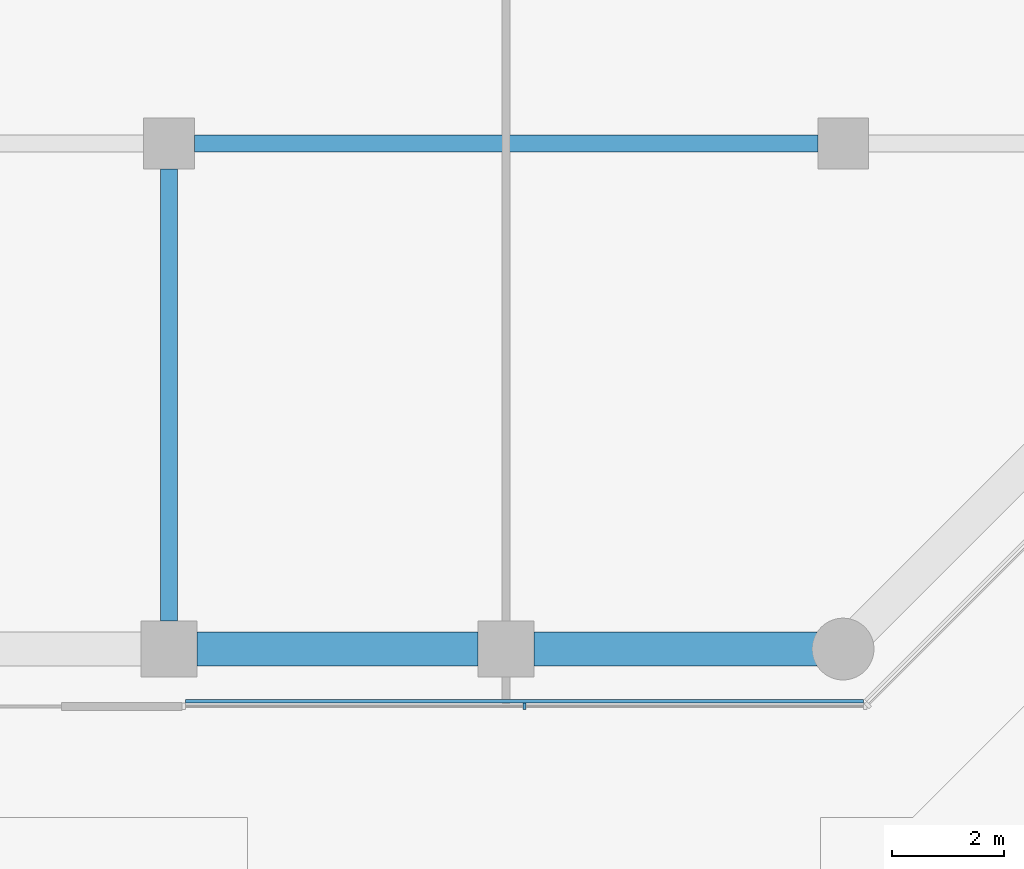
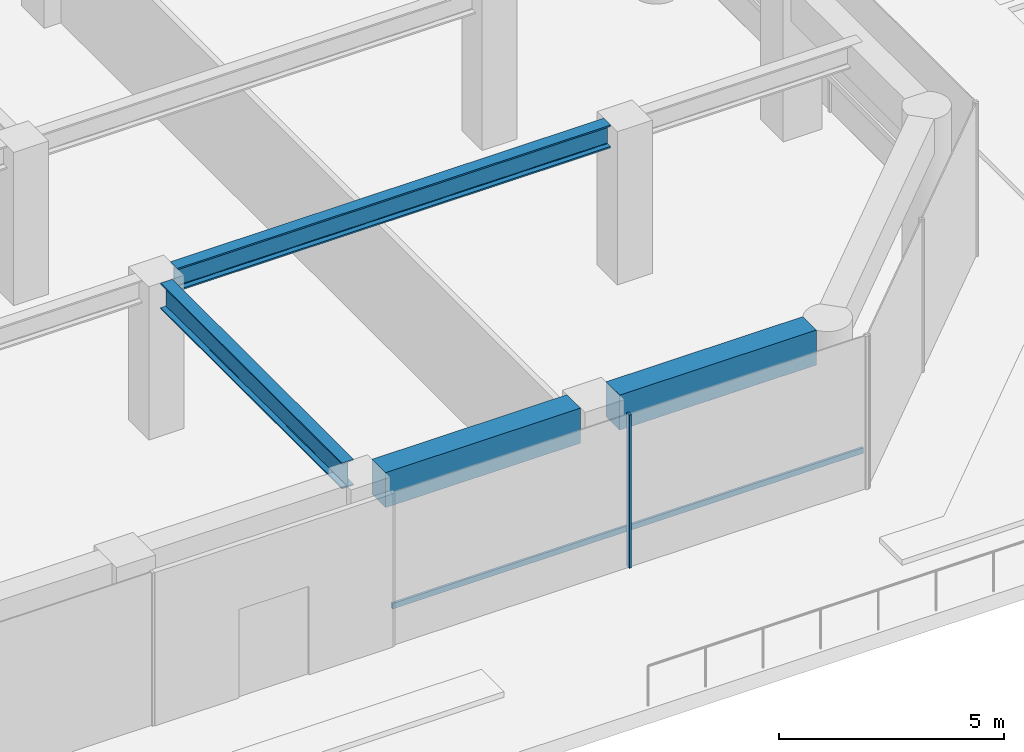
# One storey, part 6 of 31: 4 beams, 2 members, 1 element without a shape of its own.
"""IFC4 building model written with IfcOpenShell, lengths in metres."""

import ifcopenshell
import ifcopenshell.guid

model = None  # the IFC model being written
_history = None  # IfcOwnerHistory: only IFC2X3 demands one
_inside = {}  # id of a spatial element -> (the spatial element, [elements in it])
_under = {}  # id of a project, library or spatial element -> (it, [spatial elements below it])
_declared = {}  # id of a project -> (the project, [libraries it declares])
_typed = {}  # id of a type object -> (the type object, [elements of that type])
_made_of = {}  # id of a material, layer set ... -> (it, [elements and type objects made of it])


def new_model(schema):
    """Start an empty IFC model of exactly this schema.

    Asked for "IFC4X3", IfcOpenShell would pick the latest addendum, in which some entities
    have other attributes; the version numbers below select the first issue.
    IFC2X3 requires an IfcOwnerHistory on every rooted entity: one is made here for all.
    """
    global model, _history
    if schema == "IFC4X3":
        model = ifcopenshell.file(schema_version=(4, 3, 0, 0))
    else:
        model = ifcopenshell.file(schema=schema)
    _inside.clear()
    _under.clear()
    _declared.clear()
    _typed.clear()
    _made_of.clear()
    _history = None
    if model.schema == "IFC2X3":
        org = make("IfcOrganization", Name="unknown")
        user = make(
            "IfcPersonAndOrganization",
            ThePerson=make("IfcPerson", FamilyName="unknown"),
            TheOrganization=org,
        )
        app = make(
            "IfcApplication",
            ApplicationDeveloper=org,
            Version="unknown",
            ApplicationFullName="unknown",
            ApplicationIdentifier="unknown",
        )
        _history = make(
            "IfcOwnerHistory",
            OwningUser=user,
            OwningApplication=app,
            ChangeAction="ADDED",
            CreationDate=0,
        )
    return model


def make(cls, **values):
    """One entity of the class cls with the attributes given. An attribute that is None is left unset."""
    return model.create_entity(
        cls, **{name: value for name, value in values.items() if value is not None}
    )


def rooted(cls, **values):
    """An entity with a GlobalId (a new one), such as an element, a storey or a relation."""
    return make(cls, GlobalId=ifcopenshell.guid.new(), OwnerHistory=_history, **values)


def si_unit(unit_type, name, prefix=None):
    """IfcSIUnit, for example si_unit("LENGTHUNIT", "METRE", prefix="MILLI")."""
    return make("IfcSIUnit", UnitType=unit_type, Prefix=prefix, Name=name)


def assignment(units):
    """IfcUnitAssignment: the units of a project."""
    return None if units is None else make("IfcUnitAssignment", Units=units)


def point(xyz):
    """IfcCartesianPoint."""
    return None if xyz is None else make("IfcCartesianPoint", Coordinates=xyz)


def direction(xyz):
    """IfcDirection."""
    return None if xyz is None else make("IfcDirection", DirectionRatios=xyz)


def frame(location, z_axis=None, x_axis=None):
    """IfcAxis2Placement3D, a coordinate frame: its origin and axes. An axis left out is left unset."""
    return make(
        "IfcAxis2Placement3D",
        Location=point(location),
        Axis=direction(z_axis),
        RefDirection=direction(x_axis),
    )


def frame_2d(location, x_axis=None):
    """IfcAxis2Placement2D, a coordinate frame in the plane: its origin and x axis."""
    return make(
        "IfcAxis2Placement2D", Location=point(location), RefDirection=direction(x_axis)
    )


def origin():
    """The frame at (0, 0, 0) with its axes left unset."""
    return frame((0.0, 0.0, 0.0))


def origin_2d():
    """The frame at (0, 0) in the plane with its x axis left unset."""
    return frame_2d((0.0, 0.0))


def place(relative_to, where):
    """IfcLocalPlacement: puts the frame where relative to a parent placement (None: the world)."""
    return make(
        "IfcLocalPlacement", PlacementRelTo=relative_to, RelativePlacement=where
    )


def context(
    kind, dimensions, precision=None, world=None, true_north=None, identifier=None
):
    """IfcGeometricRepresentationContext, for example the 3D "Model" context."""
    return make(
        "IfcGeometricRepresentationContext",
        ContextIdentifier=identifier,
        ContextType=kind,
        CoordinateSpaceDimension=dimensions,
        Precision=precision,
        WorldCoordinateSystem=world,
        TrueNorth=true_north,
    )


def subcontext(parent, identifier, kind, view, scale=None):
    """IfcGeometricRepresentationSubContext, for example "Body" below "Model"."""
    return make(
        "IfcGeometricRepresentationSubContext",
        ContextIdentifier=identifier,
        ContextType=kind,
        ParentContext=parent,
        TargetScale=scale,
        TargetView=view,
    )


def project(units=None, contexts=None):
    """IfcProject with its units and contexts."""
    return rooted(
        "IfcProject",
        Name="project",
        RepresentationContexts=contexts,
        UnitsInContext=assignment(units),
    )


def spatial(cls, under=None, at=None, **own):
    """A site, building, storey or space (cls), placed at a placement, below another one or the project."""
    s = rooted(cls, ObjectPlacement=at, **own)
    if under is not None:
        _under.setdefault(under.id(), (under, []))[1].append(s)
    return s


def profile(cls, at=None, kind="AREA", **sizes):
    """A parametric profile (cls). Its sizes go by their IFC names, for example OverallWidth=200.0."""
    return make(cls, ProfileType=kind, Position=at, **sizes)


def rectangle(**sizes):
    """IfcRectangleProfileDef."""
    return profile("IfcRectangleProfileDef", **sizes)


def i_section(**sizes):
    """IfcIShapeProfileDef."""
    return profile("IfcIShapeProfileDef", **sizes)


def extrude(swept, where, along, depth):
    """IfcExtrudedAreaSolid: the profile swept, set in the frame where, extruded along a direction by depth."""
    return make(
        "IfcExtrudedAreaSolid",
        SweptArea=swept,
        Position=where,
        ExtrudedDirection=direction(along),
        Depth=depth,
    )


def shape(context_of_items, identifier, shape_type, items):
    """IfcShapeRepresentation: the items that make up one representation, for example the "Body"."""
    return make(
        "IfcShapeRepresentation",
        ContextOfItems=context_of_items,
        RepresentationIdentifier=identifier,
        RepresentationType=shape_type,
        Items=items,
    )


def material(Name=None, Category=None):
    """IfcMaterial."""
    return make("IfcMaterial", Name=Name, Category=Category)


def layer(
    of_material, thickness, ventilated=None, Name=None, Category=None, Priority=None
):
    """IfcMaterialLayer: one layer of a wall or slab, of a material (None: an air gap)."""
    return make(
        "IfcMaterialLayer",
        Material=of_material,
        LayerThickness=thickness,
        IsVentilated=ventilated,
        Name=Name,
        Category=Category,
        Priority=Priority,
    )


def layer_set(layers, Name=None):
    """IfcMaterialLayerSet."""
    return make("IfcMaterialLayerSet", MaterialLayers=layers, LayerSetName=Name)


def material_profile(
    of_material, cross_section, Name=None, Category=None, Priority=None
):
    """IfcMaterialProfile: a cross section and its material."""
    return make(
        "IfcMaterialProfile",
        Name=Name,
        Material=of_material,
        Profile=cross_section,
        Priority=Priority,
        Category=Category,
    )


def profile_set(profiles, Name=None, composite=None):
    """IfcMaterialProfileSet."""
    return make(
        "IfcMaterialProfileSet",
        Name=Name,
        MaterialProfiles=profiles,
        CompositeProfile=composite,
    )


def made_of(thing, what):
    """Note that an element or type object is made of a material, layer set ...; save() writes the relation."""
    if what is not None:
        _made_of.setdefault(what.id(), (what, []))[1].append(thing)
    return thing


def type_object(cls, material=None, **own):
    """A type object (cls), such as IfcWallType, which elements share."""
    return made_of(rooted(cls, **own), material)


def element(
    cls,
    number,
    at=None,
    inside=None,
    cuts=None,
    type_object=None,
    material=None,
    context=None,
    identifier="Body",
    shape_type=None,
    held_by="IfcProductDefinitionShape",
    body=None,
    shapes=None,
    **own,
):
    """One element of the class cls, such as IfcWall. Its Tag is "e" and its number.

    at: its placement. inside: the storey or other place that contains it. cuts: it is an
    opening in that element (IfcRelVoidsElement). A single representation is given by context,
    identifier, shape_type and body (its items); several are given by shapes. held_by: the class
    of the entity that holds the representations. save() writes the other relations.
    """
    e = rooted(cls, Tag="e%d" % number, ObjectPlacement=at, **own)
    if body is not None:
        shapes = [shape(context, identifier, shape_type, body)]
    if shapes is not None:
        e.Representation = make(held_by, Representations=shapes)
    if inside is not None:
        _inside.setdefault(inside.id(), (inside, []))[1].append(e)
    if cuts is not None:
        rooted(
            "IfcRelVoidsElement", RelatingBuildingElement=cuts, RelatedOpeningElement=e
        )
    if type_object is not None:
        _typed.setdefault(type_object.id(), (type_object, []))[1].append(e)
    return made_of(e, material)


def aggregate(whole, parts):
    """IfcRelAggregates: a whole, such as a stair, and the parts it consists of."""
    return rooted("IfcRelAggregates", RelatingObject=whole, RelatedObjects=parts)


def save(model, path):
    """Write the relations noted so far, then the file.

    IfcRelAggregates (storeys below a building ...), IfcRelContainedInSpatialStructure (elements
    in a storey), IfcRelDefinesByType, IfcRelAssociatesMaterial and IfcRelDeclares: one each for
    every whole, place, type object, material and project.
    """
    for whole, parts in _under.values():
        aggregate(whole, parts)
    for where, things in _inside.values():
        rooted(
            "IfcRelContainedInSpatialStructure",
            RelatedElements=things,
            RelatingStructure=where,
        )
    for kind, things in _typed.values():
        rooted("IfcRelDefinesByType", RelatedObjects=things, RelatingType=kind)
    for what, things in _made_of.values():
        rooted("IfcRelAssociatesMaterial", RelatedObjects=things, RelatingMaterial=what)
    for by, libraries in _declared.values():
        rooted("IfcRelDeclares", RelatingContext=by, RelatedDefinitions=libraries)
    model.write(path)


model = new_model("IFC4")

# Units and contexts
model_context = context("Model", 3, precision=1e-05, world=origin(), true_north=direction((0.0, 1.0)))
body_context = subcontext(model_context, "Body", "Model", "MODEL_VIEW")
ifc_project = project(units=[si_unit("LENGTHUNIT", "METRE"), si_unit("AREAUNIT", "SQUARE_METRE"), si_unit("VOLUMEUNIT", "CUBIC_METRE"), si_unit("PLANEANGLEUNIT", "RADIAN"), si_unit("MASSUNIT", "GRAM", prefix="KILO")], contexts=[model_context])

# Site, building, storey
site_placement = place(None, origin())
site = spatial("IfcSite", under=ifc_project, at=site_placement, CompositionType="ELEMENT")
building_placement = place(site_placement, origin())
building = spatial("IfcBuilding", under=site, at=building_placement, Name="Welwitschia Terrace Campus", CompositionType="ELEMENT")
storey_placement = place(building_placement, frame((0.0, 0.0, 11.0)))
storey = spatial("IfcBuildingStorey", under=building, at=storey_placement, Name="L02", CompositionType="ELEMENT", Elevation=11.0)

# Beam
ifc_material_1 = material(Name="Steel S355", Category="steel")
ifc_material_profile_1 = material_profile(ifc_material_1, i_section(OverallWidth=0.304931640625, OverallDepth=0.6201171875, WebThickness=0.02099609375, FlangeThickness=0.0400390625, FilletRadius=0.027099609375, at=origin_2d()))
ifc_profile_set_1 = profile_set([ifc_material_profile_1], Name="Steel S355")
beam_type_1 = type_object("IfcBeamType", Name="Interior girder HE 600 M", PredefinedType="BEAM", material=ifc_profile_set_1)
beam_1_placement = place(storey_placement, frame((48.450439453125, 5.0, 3.840087890625), z_axis=(1.0, 0.0, 0.0), x_axis=(0.0, 1.0, 0.0)))
element("IfcBeam", 1, at=beam_1_placement, inside=storey, type_object=beam_type_1, Name="Girder GB1", PredefinedType="BEAM", context=body_context, shape_type="SweptSolid", body=[
    extrude(i_section(OverallWidth=0.304931640625, OverallDepth=0.6201171875, WebThickness=0.02099609375, FlangeThickness=0.0400390625, FilletRadius=0.027099609375, at=origin_2d()), origin(), (0.0, 0.0, 1.0), 11.09912109375),
])

# Curtain wall, member
ifc_material_2 = material(Name="Bronze anodised aluminium", Category="aluminium")
ifc_layer = layer(ifc_material_2, 0.1201171875)
ifc_layer_set = layer_set([ifc_layer], Name="Bronze anodised aluminium")
curtain_wall_type = type_object("IfcCurtainWallType", Name="Curtain wall CW2 tower 6000", PredefinedType="NOTDEFINED", material=ifc_layer_set)
curtain_wall_placement = place(storey_placement, origin())
curtain_wall = element("IfcCurtainWall", 2, at=curtain_wall_placement, inside=storey, type_object=curtain_wall_type, Name="CW L02.1.7", PredefinedType="NOTDEFINED")
ifc_material_3 = material(Name="Bronze anodised aluminium", Category="aluminium")
ifc_material_profile_2 = material_profile(ifc_material_3, rectangle(XDim=0.1201171875, YDim=0.06005859375, at=origin_2d()))
ifc_profile_set_2 = profile_set([ifc_material_profile_2], Name="Bronze anodised aluminium")
member_type_1 = type_object("IfcMemberType", Name="Mullion 60x120", PredefinedType="MULLION", material=ifc_profile_set_2)
member_1_placement = place(storey_placement, frame((54.32861328125, -5.02001953125, 0.0), z_axis=(0.0, 0.0, 1.0), x_axis=(0.0, 1.0, 0.0)))
member_1 = element("IfcMember", 3, at=member_1_placement, type_object=member_type_1, Name="Mullion L02.1.7.1", PredefinedType="MULLION", context=body_context, shape_type="SweptSolid", body=[
    extrude(rectangle(XDim=0.1201171875, YDim=0.06005859375, at=origin_2d()), origin(), (0.0, 0.0, 1.0), 4.14990234375),
])

# Beams
ifc_material_4 = material(Name="Steel S355", Category="steel")
ifc_material_profile_3 = material_profile(ifc_material_4, i_section(OverallWidth=0.300048828125, OverallDepth=0.699951171875, WebThickness=0.01708984375, FlangeThickness=0.031982421875, FilletRadius=0.027099609375, at=origin_2d()))
ifc_profile_set_3 = profile_set([ifc_material_profile_3], Name="Steel S355")
beam_type_2 = type_object("IfcBeamType", Name="Primary beam HE 700 B", PredefinedType="BEAM", material=ifc_profile_set_3)
beam_2_placement = place(storey_placement, frame((48.0, -3.49951171875, 3.800048828125), z_axis=(0.0, 1.0, 0.0), x_axis=(-1.0, 0.0, 0.0)))
element("IfcBeam", 4, at=beam_2_placement, inside=storey, type_object=beam_type_2, Name="Primary beam PB1", PredefinedType="BEAM", context=body_context, shape_type="SweptSolid", body=[
    extrude(i_section(OverallWidth=0.300048828125, OverallDepth=0.699951171875, WebThickness=0.01708984375, FlangeThickness=0.031982421875, FilletRadius=0.027099609375, at=origin_2d()), origin(), (0.0, 0.0, 1.0), 8.049072265625),
])
ifc_material_5 = material(Name="Concrete C60/75", Category="concrete")
ifc_material_profile_4 = material_profile(ifc_material_5, rectangle(XDim=0.60009765625, YDim=0.949951171875, at=origin_2d()))
ifc_profile_set_4 = profile_set([ifc_material_profile_4], Name="Concrete C60/75")
beam_type_3 = type_object("IfcBeamType", Name="Ring spandrel 600x950", PredefinedType="SPANDREL", material=ifc_profile_set_4)
beam_3_placement = place(storey_placement, frame((48.50048828125, -4.0, 3.675048828125), z_axis=(1.0, 0.0, 0.0), x_axis=(0.0, 1.0, 0.0)))
element("IfcBeam", 5, at=beam_3_placement, inside=storey, type_object=beam_type_3, Name="Spandrel SP1", PredefinedType="SPANDREL", context=body_context, shape_type="SweptSolid", body=[
    extrude(rectangle(XDim=0.60009765625, YDim=0.949951171875, at=origin_2d()), origin(), (0.0, 0.0, 1.0), 4.9990234375),
])
beam_4_placement = place(storey_placement, frame((54.50048828125, -4.0, 3.675048828125), z_axis=(1.0, 0.0, 0.0), x_axis=(0.0, 1.0, 0.0)))
element("IfcBeam", 6, at=beam_4_placement, inside=storey, type_object=beam_type_3, Name="Spandrel SP1", PredefinedType="SPANDREL", context=body_context, shape_type="SweptSolid", body=[
    extrude(rectangle(XDim=0.60009765625, YDim=0.949951171875, at=origin_2d()), origin(), (0.0, 0.0, 1.0), 5.0380859375),
])

# Member
ifc_material_6 = material(Name="Bronze anodised aluminium", Category="aluminium")
ifc_material_profile_5 = material_profile(ifc_material_6, rectangle(XDim=0.06005859375, YDim=0.14990234375, at=origin_2d()))
ifc_profile_set_5 = profile_set([ifc_material_profile_5], Name="Bronze anodised aluminium")
member_type_2 = type_object("IfcMemberType", Name="Transom 60x150", PredefinedType="USERDEFINED", material=ifc_profile_set_5)
member_2_placement = place(storey_placement, frame((48.294677734375, -4.929931640625, 1.0), z_axis=(1.0, 0.0, 0.0), x_axis=(0.0, 1.0, 0.0)))
member_2 = element("IfcMember", 7, at=member_2_placement, type_object=member_type_2, Name="Transom L02.1.7", ObjectType="TRANSOM", PredefinedType="USERDEFINED", context=body_context, shape_type="SweptSolid", body=[
    extrude(rectangle(XDim=0.06005859375, YDim=0.14990234375, at=origin_2d()), origin(), (0.0, 0.0, 1.0), 12.06787109375),
])

aggregate(curtain_wall, [member_1, member_2])

save(model, "model.ifc")
